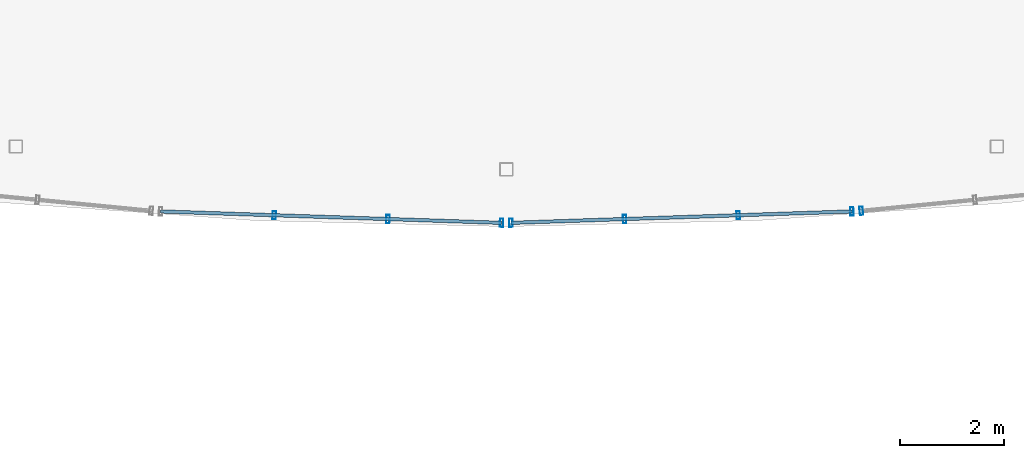
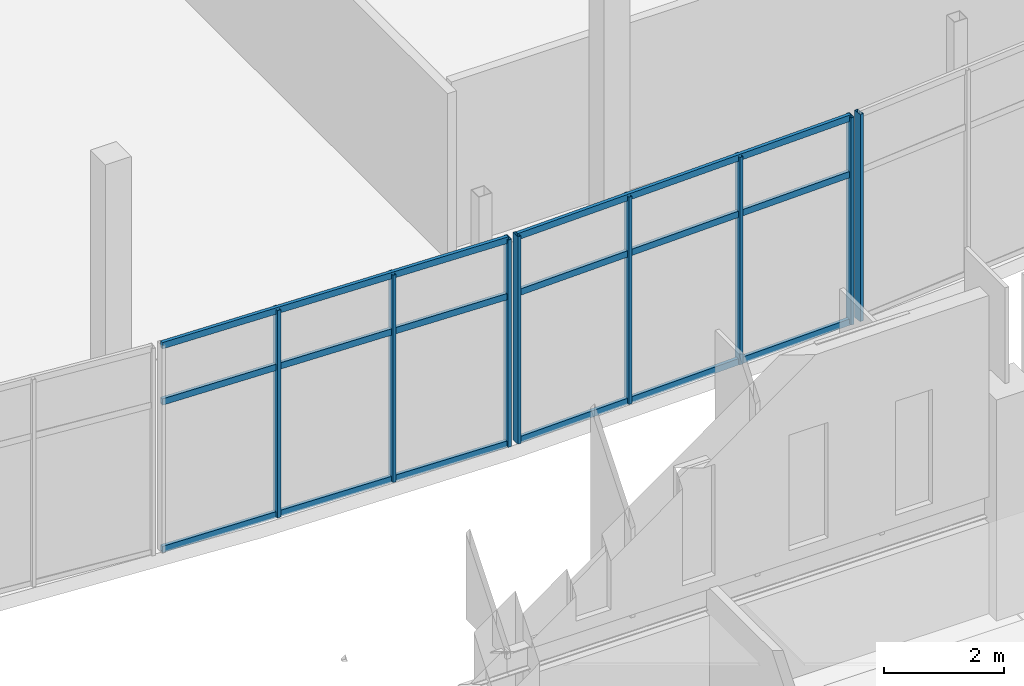
# One storey, part 44 of 114: 14 members, 3 elements without a shape of their own.
"""IFC4 building model written with IfcOpenShell, lengths in metres."""

from ifc_helpers import new_model, si_unit, direction, frame, origin, origin_2d, place, context, subcontext, project, spatial, hollow_rectangle, extrude, material, layer, layer_set, material_profile, profile_set, type_object, element, aggregate, save


model = new_model("IFC4")

# Units and contexts
model_context = context("Model", 3, precision=1e-05, world=origin(), true_north=direction((0.0, 1.0)))
body_context = subcontext(model_context, "Body", "Model", "MODEL_VIEW")
ifc_project = project(units=[si_unit("LENGTHUNIT", "METRE"), si_unit("AREAUNIT", "SQUARE_METRE"), si_unit("VOLUMEUNIT", "CUBIC_METRE"), si_unit("PLANEANGLEUNIT", "RADIAN"), si_unit("MASSUNIT", "GRAM", prefix="KILO")], contexts=[model_context])

# Site, building, storey
site_placement = place(None, origin())
site = spatial("IfcSite", under=ifc_project, at=site_placement, CompositionType="ELEMENT")
building_placement = place(site_placement, origin())
building = spatial("IfcBuilding", under=site, at=building_placement, Name="Chalmorin Arch Market", CompositionType="ELEMENT")
storey_placement = place(building_placement, frame((0.0, 0.0, 9.60009765625)))
storey = spatial("IfcBuildingStorey", under=building, at=storey_placement, Name="L02", CompositionType="ELEMENT", Elevation=9.60009765625)

# Curtain wall, members
ifc_material = material(Name="Aluminium 6063-T6", Category="aluminium")
ifc_layer_1 = layer(ifc_material, 0.159912109375)
ifc_layer_set_1 = layer_set([ifc_layer_1], Name="Aluminium 6063-T6")
curtain_wall_type_1 = type_object("IfcCurtainWallType", Name="CulinaryStudioCurtainWall-CW3-6540x4220", PredefinedType="NOTDEFINED", material=ifc_layer_set_1)
curtain_wall_1_placement = place(storey_placement, origin())
curtain_wall_1 = element("IfcCurtainWall", 1, at=curtain_wall_1_placement, inside=storey, type_object=curtain_wall_type_1, Name="CW-03-163", PredefinedType="NOTDEFINED")
ifc_material_profile_1 = material_profile(ifc_material, hollow_rectangle(XDim=0.06494140625, YDim=0.159912109375, WallThickness=0.00390625, at=origin_2d()), Name="ALU65X160X4")
ifc_profile_set_1 = profile_set([ifc_material_profile_1], Name="Aluminium 6063-T6")
member_type_1 = type_object("IfcMemberType", Name="CurtainWallMullion-65x160", PredefinedType="MULLION", material=ifc_profile_set_1)
member_1_placement = place(storey_placement, frame((77.14990234375, 67.069091796875, 0.0), z_axis=(0.0, 0.0, 1.0), x_axis=(0.999390827019, -0.034899496703, 0.0)))
member_1 = element("IfcMember", 2, at=member_1_placement, type_object=member_type_1, Name="ML-163-02", PredefinedType="MULLION", context=body_context, shape_type="SweptSolid", body=[
    extrude(hollow_rectangle(XDim=0.06494140625, YDim=0.159912109375, WallThickness=0.00390625, at=origin_2d()), origin(), (0.0, 0.0, 1.0), 4.219970703125),
])
member_2_placement = place(storey_placement, frame((79.330078125, 66.99609375, 0.0), z_axis=(0.0, 0.0, 1.0), x_axis=(0.999390827019, -0.034899496703, 0.0)))
member_2 = element("IfcMember", 3, at=member_2_placement, type_object=member_type_1, Name="ML-163-03", PredefinedType="MULLION", context=body_context, shape_type="SweptSolid", body=[
    extrude(hollow_rectangle(XDim=0.06494140625, YDim=0.159912109375, WallThickness=0.00390625, at=origin_2d()), origin(), (0.0, 0.0, 1.0), 4.219970703125),
])
member_3_placement = place(storey_placement, frame((81.510009765625, 66.923095703125, 0.0), z_axis=(0.0, 0.0, 1.0), x_axis=(0.999390827019, -0.034899496703, 0.0)))
member_3 = element("IfcMember", 4, at=member_3_placement, type_object=member_type_1, Name="ML-163-04", PredefinedType="MULLION", context=body_context, shape_type="SweptSolid", body=[
    extrude(hollow_rectangle(XDim=0.06494140625, YDim=0.159912109375, WallThickness=0.00390625, at=origin_2d()), origin(), (0.0, 0.0, 1.0), 4.219970703125),
])

curtain_wall_2_placement = place(storey_placement, origin())
curtain_wall_2 = element("IfcCurtainWall", 5, at=curtain_wall_2_placement, inside=storey, type_object=curtain_wall_type_1, Name="CW-03-166", PredefinedType="NOTDEFINED")
member_4_placement = place(storey_placement, frame((81.68994140625, 66.923095703125, 0.0), z_axis=(0.0, 0.0, 1.0), x_axis=(0.999390827019, 0.034899496703, 0.0)))
member_4 = element("IfcMember", 6, at=member_4_placement, type_object=member_type_1, Name="ML-166-01", PredefinedType="MULLION", context=body_context, shape_type="SweptSolid", body=[
    extrude(hollow_rectangle(XDim=0.06494140625, YDim=0.159912109375, WallThickness=0.00390625, at=origin_2d()), origin(), (0.0, 0.0, 1.0), 4.219970703125),
])
member_5_placement = place(storey_placement, frame((83.8701171875, 66.99609375, 0.0), z_axis=(0.0, 0.0, 1.0), x_axis=(0.999390827019, 0.034899496703, 0.0)))
member_5 = element("IfcMember", 7, at=member_5_placement, type_object=member_type_1, Name="ML-166-02", PredefinedType="MULLION", context=body_context, shape_type="SweptSolid", body=[
    extrude(hollow_rectangle(XDim=0.06494140625, YDim=0.159912109375, WallThickness=0.00390625, at=origin_2d()), origin(), (0.0, 0.0, 1.0), 4.219970703125),
])
member_6_placement = place(storey_placement, frame((86.050048828125, 67.069091796875, 0.0), z_axis=(0.0, 0.0, 1.0), x_axis=(0.999390827019, 0.034899496703, 0.0)))
member_6 = element("IfcMember", 8, at=member_6_placement, type_object=member_type_1, Name="ML-166-03", PredefinedType="MULLION", context=body_context, shape_type="SweptSolid", body=[
    extrude(hollow_rectangle(XDim=0.06494140625, YDim=0.159912109375, WallThickness=0.00390625, at=origin_2d()), origin(), (0.0, 0.0, 1.0), 4.219970703125),
])
member_7_placement = place(storey_placement, frame((88.22998046875, 67.14208984375, 0.0), z_axis=(0.0, 0.0, 1.0), x_axis=(0.999390827019, 0.034899496703, 0.0)))
member_7 = element("IfcMember", 9, at=member_7_placement, type_object=member_type_1, Name="ML-166-04", PredefinedType="MULLION", context=body_context, shape_type="SweptSolid", body=[
    extrude(hollow_rectangle(XDim=0.06494140625, YDim=0.159912109375, WallThickness=0.00390625, at=origin_2d()), origin(), (0.0, 0.0, 1.0), 4.219970703125),
])

# Curtain wall, member
ifc_layer_2 = layer(ifc_material, 0.159912109375)
ifc_layer_set_2 = layer_set([ifc_layer_2], Name="Aluminium 6063-T6")
curtain_wall_type_2 = type_object("IfcCurtainWallType", Name="CulinaryStudioCurtainWall-CW3-6570x4220", PredefinedType="NOTDEFINED", material=ifc_layer_set_2)
curtain_wall_3_placement = place(storey_placement, origin())
curtain_wall_3 = element("IfcCurtainWall", 10, at=curtain_wall_3_placement, inside=storey, type_object=curtain_wall_type_2, Name="CW-03-169", PredefinedType="NOTDEFINED")
member_8_placement = place(storey_placement, frame((88.40966796875, 67.15380859375, 0.0), z_axis=(0.0, 0.0, 1.0), x_axis=(0.994521895368, 0.104528463268, 0.0)))
member_8 = element("IfcMember", 11, at=member_8_placement, type_object=member_type_1, Name="ML-169-01", PredefinedType="MULLION", context=body_context, shape_type="SweptSolid", body=[
    extrude(hollow_rectangle(XDim=0.06494140625, YDim=0.159912109375, WallThickness=0.00390625, at=origin_2d()), origin(), (0.0, 0.0, 1.0), 4.219970703125),
])
aggregate(curtain_wall_3, [member_8])

# Member
ifc_material_profile_2 = material_profile(ifc_material, hollow_rectangle(XDim=0.06494140625, YDim=0.1298828125, WallThickness=0.00390625, at=origin_2d()), Name="ALU65X130X4")
ifc_profile_set_2 = profile_set([ifc_material_profile_2], Name="Aluminium 6063-T6")
member_type_2 = type_object("IfcMemberType", Name="CurtainWallTransom-65x130", PredefinedType="USERDEFINED", material=ifc_profile_set_2)
member_9_placement = place(storey_placement, frame((74.969970703125, 67.14208984375, 0.034912109375), z_axis=(0.999439843627, -0.033466385685, 0.0), x_axis=(0.033466385685, 0.999439843627, 0.0)))
member_9 = element("IfcMember", 12, at=member_9_placement, type_object=member_type_2, Name="TR-163-01", ObjectType="TRANSOM", PredefinedType="USERDEFINED", context=body_context, shape_type="SweptSolid", body=[
    extrude(hollow_rectangle(XDim=0.06494140625, YDim=0.1298828125, WallThickness=0.00390625, at=origin_2d()), origin(), (0.0, 0.0, 1.0), 6.543701171875),
])

member_10_placement = place(storey_placement, frame((74.969970703125, 67.14208984375, 3.038330078125), z_axis=(0.999439843627, -0.033466385685, 0.0), x_axis=(0.033466385685, 0.999439843627, 0.0)))
member_10 = element("IfcMember", 13, at=member_10_placement, type_object=member_type_2, Name="TR-163-02", ObjectType="TRANSOM", PredefinedType="USERDEFINED", context=body_context, shape_type="SweptSolid", body=[
    extrude(hollow_rectangle(XDim=0.06494140625, YDim=0.1298828125, WallThickness=0.00390625, at=origin_2d()), origin(), (0.0, 0.0, 1.0), 6.543701171875),
])

member_11_placement = place(storey_placement, frame((74.969970703125, 67.14208984375, 4.184814453125), z_axis=(0.999439843627, -0.033466385685, 0.0), x_axis=(0.033466385685, 0.999439843627, 0.0)))
member_11 = element("IfcMember", 14, at=member_11_placement, type_object=member_type_2, Name="TR-163-03", ObjectType="TRANSOM", PredefinedType="USERDEFINED", context=body_context, shape_type="SweptSolid", body=[
    extrude(hollow_rectangle(XDim=0.06494140625, YDim=0.1298828125, WallThickness=0.00390625, at=origin_2d()), origin(), (0.0, 0.0, 1.0), 6.543701171875),
])

aggregate(curtain_wall_1, [member_1, member_2, member_3, member_9, member_10, member_11])

member_12_placement = place(storey_placement, frame((81.68994140625, 66.923095703125, 0.034912109375), z_axis=(0.999439843627, 0.033466385685, 0.0), x_axis=(-0.033466385685, 0.999439843627, 0.0)))
member_12 = element("IfcMember", 15, at=member_12_placement, type_object=member_type_2, Name="TR-166-01", ObjectType="TRANSOM", PredefinedType="USERDEFINED", context=body_context, shape_type="SweptSolid", body=[
    extrude(hollow_rectangle(XDim=0.06494140625, YDim=0.1298828125, WallThickness=0.00390625, at=origin_2d()), origin(), (0.0, 0.0, 1.0), 6.543701171875),
])

member_13_placement = place(storey_placement, frame((81.68994140625, 66.923095703125, 3.038330078125), z_axis=(0.999439843627, 0.033466385685, 0.0), x_axis=(-0.033466385685, 0.999439843627, 0.0)))
member_13 = element("IfcMember", 16, at=member_13_placement, type_object=member_type_2, Name="TR-166-02", ObjectType="TRANSOM", PredefinedType="USERDEFINED", context=body_context, shape_type="SweptSolid", body=[
    extrude(hollow_rectangle(XDim=0.06494140625, YDim=0.1298828125, WallThickness=0.00390625, at=origin_2d()), origin(), (0.0, 0.0, 1.0), 6.543701171875),
])

member_14_placement = place(storey_placement, frame((81.68994140625, 66.923095703125, 4.184814453125), z_axis=(0.999439843627, 0.033466385685, 0.0), x_axis=(-0.033466385685, 0.999439843627, 0.0)))
member_14 = element("IfcMember", 17, at=member_14_placement, type_object=member_type_2, Name="TR-166-03", ObjectType="TRANSOM", PredefinedType="USERDEFINED", context=body_context, shape_type="SweptSolid", body=[
    extrude(hollow_rectangle(XDim=0.06494140625, YDim=0.1298828125, WallThickness=0.00390625, at=origin_2d()), origin(), (0.0, 0.0, 1.0), 6.543701171875),
])

aggregate(curtain_wall_2, [member_4, member_5, member_6, member_7, member_12, member_13, member_14])

save(model, "model.ifc")
